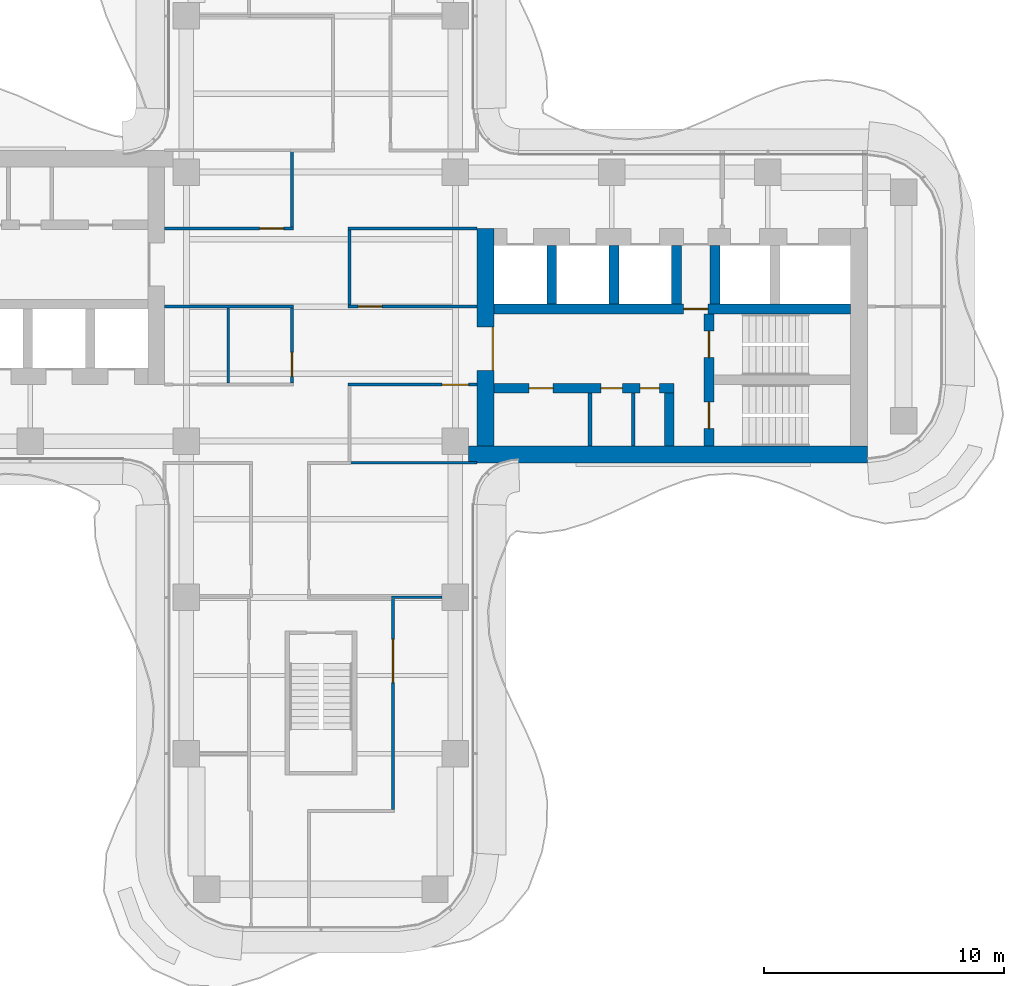
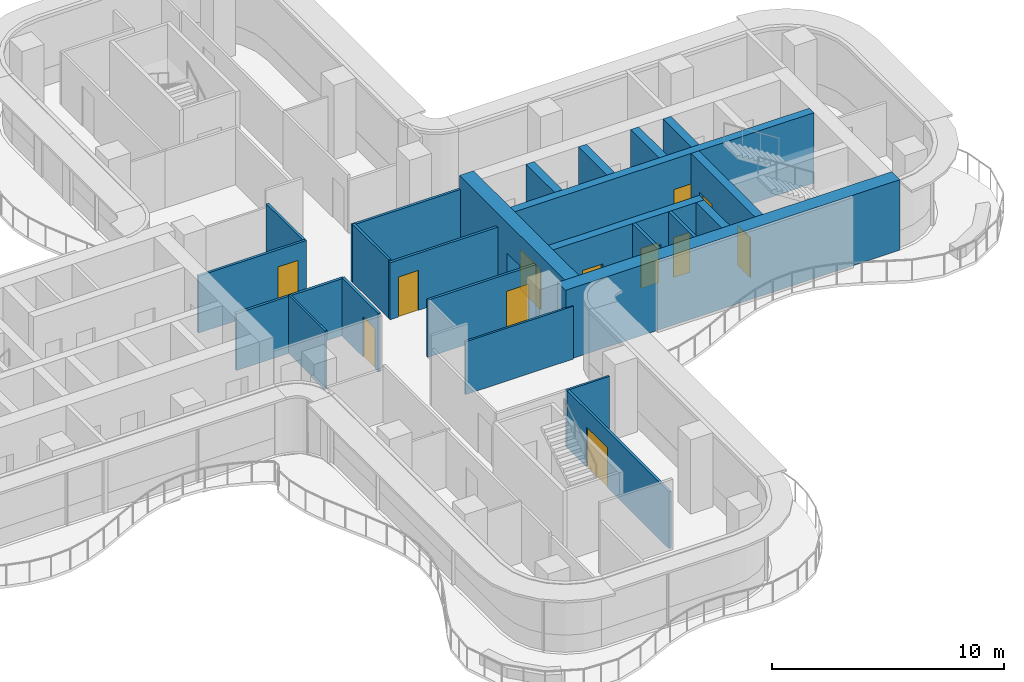
# One storey, part 13 of 17: 24 walls, 12 doors, 12 openings.
"""IFC4 building model written with IfcOpenShell, lengths in metres."""

from ifc_helpers import new_model, si_unit, direction, frame, frame_2d, origin, place, context, subcontext, project, spatial, rectangle, extrude, source, transform, mapped, material, layer, layer_set, type_object, element, fill, save


model = new_model("IFC4")

# Units and contexts
model_context = context("Model", 3, precision=1e-05, world=origin(), true_north=direction((0.0, 1.0)))
body_context = subcontext(model_context, "Body", "Model", "MODEL_VIEW")
ifc_project = project(units=[si_unit("LENGTHUNIT", "METRE"), si_unit("AREAUNIT", "SQUARE_METRE"), si_unit("VOLUMEUNIT", "CUBIC_METRE"), si_unit("PLANEANGLEUNIT", "RADIAN"), si_unit("MASSUNIT", "GRAM", prefix="KILO")], contexts=[model_context])

# Site, building, storey
site_placement = place(None, origin())
site = spatial("IfcSite", under=ifc_project, at=site_placement, CompositionType="ELEMENT")
building_placement = place(site_placement, origin())
building = spatial("IfcBuilding", under=site, at=building_placement, Name="Trellis Farm Tower", CompositionType="ELEMENT")
storey_placement = place(building_placement, frame((0.0, 0.0, 232.39990234375)))
storey = spatial("IfcBuildingStorey", under=building, at=storey_placement, Name="L51", CompositionType="ELEMENT", Elevation=232.39990234375)

# Wall, opening, door
ifc_material_1 = material(Name="Concrete C60/75", Category="concrete")
ifc_layer_1 = layer(ifc_material_1, 0.699951171875)
ifc_layer_set_1 = layer_set([ifc_layer_1], Name="CORE OUTER WALL 700 CONCRETE C60/75")
wall_type_1 = type_object("IfcWallType", Name="CORE OUTER WALL 700 CONCRETE C60/75", PredefinedType="SHEAR", material=ifc_layer_set_1)
shared_shape_1 = source(origin(), body_context, "Body", "SweptSolid", [
    extrude(rectangle(XDim=9.050048828125, YDim=0.699951171875, at=frame_2d((4.52490234375, 0.0))), origin(), (0.0, 0.0, 1.0), 3.7001953125),
])
wall_1_placement = place(storey_placement, frame((6.85009765625, -5.800048828125, 0.0), z_axis=(0.0, 0.0, 1.0), x_axis=(0.0, 1.0, 0.0)))
wall_1 = element("IfcWall", 1, at=wall_1_placement, inside=storey, type_object=wall_type_1, Name="Core wall", PredefinedType="SHEAR", context=body_context, shape_type="MappedRepresentation", body=[
    mapped(shared_shape_1, transform((0.0, 0.0, 0.0))),
])
shared_shape_2 = source(origin(), body_context, "Body", "SweptSolid", [
    extrude(rectangle(XDim=1.800048828125, YDim=2.10009765625, at=frame_2d((0.89990234375, 1.050048828125))), frame((0.0, 0.360107421875, 0.0), z_axis=(0.0, -1.0, 0.0), x_axis=(1.0, 0.0, 0.0)), (0.0, 0.0, 1.0), 0.72021484375),
])
opening_1_placement = place(wall_1_placement, frame((3.14990234375, 0.0, 0.0)))
opening_1 = element("IfcOpeningElement", 2, at=opening_1_placement, cuts=wall_1, Name="Opening DC1", PredefinedType="OPENING", context=body_context, shape_type="MappedRepresentation", body=[
    mapped(shared_shape_2, transform((0.0, 0.0, 0.0))),
])
ifc_material_2 = material(Name="Steel", Category="steel")
door_type_1 = type_object("IfcDoorType", Name="CORE FIRE DOOR DOUBLE 1800 X 2100", OperationType="DOUBLE_DOOR_SINGLE_SWING", PredefinedType="DOOR", material=ifc_material_2)
shared_shape_3 = source(origin(), body_context, "Body", "SweptSolid", [
    extrude(rectangle(XDim=1.800048828125, YDim=2.10009765625, at=frame_2d((0.89990234375, 1.050048828125))), frame((0.0, -0.27490234375, 0.0), z_axis=(0.0, -1.0, 0.0), x_axis=(1.0, 0.0, 0.0)), (0.0, 0.0, 1.0), 0.050048828125),
])
door_1_placement = place(opening_1_placement, origin())
door_1 = element("IfcDoor", 3, at=door_1_placement, inside=storey, type_object=door_type_1, Name="Core door", OperationType="DOUBLE_DOOR_SINGLE_SWING", OverallHeight=2.10009765625, OverallWidth=1.800048828125, PredefinedType="DOOR", context=body_context, shape_type="MappedRepresentation", body=[
    mapped(shared_shape_3, transform((0.0, 0.0, 0.0))),
])
fill(opening_1, door_1)

# Walls
ifc_layer_2 = layer(ifc_material_1, 0.39990234375)
ifc_layer_set_2 = layer_set([ifc_layer_2], Name="CORE INNER WALL 400 CONCRETE C60/75")
wall_type_2 = type_object("IfcWallType", Name="CORE INNER WALL 400 CONCRETE C60/75", PredefinedType="SHEAR", material=ifc_layer_set_2)
shared_shape_4 = source(origin(), body_context, "Body", "SweptSolid", [
    extrude(rectangle(XDim=2.449951171875, YDim=0.39990234375, at=frame_2d((1.22509765625, 0.0))), origin(), (0.0, 0.0, 1.0), 3.7001953125),
])
for number, where, z_axis, x_axis, name in (
    (4, (9.60009765625, 0.10009765625, 0.0), (0.0, 0.0, 1.0), (0.0, 1.0, 0.0), "Core wall"),
    (5, (12.199951171875, 0.10009765625, 0.0), (0.0, 0.0, 1.0), (0.0, 1.0, 0.0), "Core wall"),
    (6, (14.800048828125, 0.10009765625, 0.0), (0.0, 0.0, 1.0), (0.0, 1.0, 0.0), "Core wall"),
    (7, (16.39990234375, 0.10009765625, 0.0), (0.0, 0.0, 1.0), (0.0, 1.0, 0.0), "Core wall"),
):
    element("IfcWall", number, at=place(storey_placement, frame(where, z_axis=z_axis, x_axis=x_axis)), inside=storey, type_object=wall_type_2, Name=name, PredefinedType="SHEAR", context=body_context, shape_type="MappedRepresentation", body=[
        mapped(shared_shape_4, transform((0.0, 0.0, 0.0))),
    ])

# Wall, openings, doors
shared_shape_5 = source(origin(), body_context, "Body", "SweptSolid", [
    extrude(rectangle(XDim=7.5, YDim=0.39990234375, at=frame_2d((3.75, 0.0))), origin(), (0.0, 0.0, 1.0), 3.7001953125),
])
wall_2_placement = place(storey_placement, frame((7.199951171875, -3.39990234375, 0.0), z_axis=(0.0, 0.0, 1.0), x_axis=(1.0, 0.0, 0.0)))
wall_2 = element("IfcWall", 8, at=wall_2_placement, inside=storey, type_object=wall_type_2, Name="Core wall", PredefinedType="SHEAR", context=body_context, shape_type="MappedRepresentation", body=[
    mapped(shared_shape_5, transform((0.0, 0.0, 0.0))),
])
shared_shape_6 = source(origin(), body_context, "Body", "SweptSolid", [
    extrude(rectangle(XDim=1.0, YDim=2.10009765625, at=frame_2d((0.5, 1.050048828125))), frame((0.0, 0.2099609375, 0.0), z_axis=(0.0, -1.0, 0.0), x_axis=(1.0, 0.0, 0.0)), (0.0, 0.0, 1.0), 0.419921875),
])
opening_2_placement = place(wall_2_placement, frame((1.46240234375, 0.0, 0.0)))
opening_2 = element("IfcOpeningElement", 9, at=opening_2_placement, cuts=wall_2, Name="Opening DC55", PredefinedType="OPENING", context=body_context, shape_type="MappedRepresentation", body=[
    mapped(shared_shape_6, transform((0.0, 0.0, 0.0))),
])
shared_shape_7 = source(origin(), body_context, "Body", "SweptSolid", [
    extrude(rectangle(XDim=0.89990234375, YDim=2.10009765625, at=frame_2d((0.449951171875, 1.050048828125))), frame((0.0, 0.2099609375, 0.0), z_axis=(0.0, -1.0, 0.0), x_axis=(1.0, 0.0, 0.0)), (0.0, 0.0, 1.0), 0.419921875),
])
opening_3_placement = place(wall_2_placement, frame((4.449951171875, 0.0, 0.0)))
opening_3 = element("IfcOpeningElement", 10, at=opening_3_placement, cuts=wall_2, Name="Opening DC60", PredefinedType="OPENING", context=body_context, shape_type="MappedRepresentation", body=[
    mapped(shared_shape_7, transform((0.0, 0.0, 0.0))),
])
shared_shape_8 = source(origin(), body_context, "Body", "SweptSolid", [
    extrude(rectangle(XDim=0.800048828125, YDim=2.10009765625, at=frame_2d((0.39990234375, 1.050048828125))), frame((0.0, 0.2099609375, 0.0), z_axis=(0.0, -1.0, 0.0), x_axis=(1.0, 0.0, 0.0)), (0.0, 0.0, 1.0), 0.419921875),
])
opening_4_placement = place(wall_2_placement, frame((6.08740234375, 0.0, 0.0)))
opening_4 = element("IfcOpeningElement", 11, at=opening_4_placement, cuts=wall_2, Name="Opening DC63", PredefinedType="OPENING", context=body_context, shape_type="MappedRepresentation", body=[
    mapped(shared_shape_8, transform((0.0, 0.0, 0.0))),
])
door_type_2 = type_object("IfcDoorType", Name="CORE FIRE DOOR 1000 X 2100", OperationType="NOTDEFINED", PredefinedType="DOOR", material=ifc_material_2)
shared_shape_9 = source(origin(), body_context, "Body", "SweptSolid", [
    extrude(rectangle(XDim=1.0, YDim=2.10009765625, at=frame_2d((0.5, 1.050048828125))), frame((0.0, 0.02490234375, 0.0), z_axis=(0.0, -1.0, 0.0), x_axis=(1.0, 0.0, 0.0)), (0.0, 0.0, 1.0), 0.050048828125),
])
door_2_placement = place(opening_2_placement, origin())
door_2 = element("IfcDoor", 12, at=door_2_placement, inside=storey, type_object=door_type_2, Name="Core door", OperationType="SINGLE_SWING_LEFT", OverallHeight=2.10009765625, OverallWidth=1.0, PredefinedType="DOOR", context=body_context, shape_type="MappedRepresentation", body=[
    mapped(shared_shape_9, transform((0.0, 0.0, 0.0))),
])
fill(opening_2, door_2)
door_type_3 = type_object("IfcDoorType", Name="CORE FIRE DOOR 900 X 2100", OperationType="NOTDEFINED", PredefinedType="DOOR", material=ifc_material_2)
shared_shape_10 = source(origin(), body_context, "Body", "SweptSolid", [
    extrude(rectangle(XDim=0.89990234375, YDim=2.10009765625, at=frame_2d((0.449951171875, 1.050048828125))), frame((0.0, 0.02490234375, 0.0), z_axis=(0.0, -1.0, 0.0), x_axis=(1.0, 0.0, 0.0)), (0.0, 0.0, 1.0), 0.050048828125),
])
door_3_placement = place(opening_3_placement, origin())
door_3 = element("IfcDoor", 13, at=door_3_placement, inside=storey, type_object=door_type_3, Name="Core door", OperationType="SINGLE_SWING_RIGHT", OverallHeight=2.10009765625, OverallWidth=0.89990234375, PredefinedType="DOOR", context=body_context, shape_type="MappedRepresentation", body=[
    mapped(shared_shape_10, transform((0.0, 0.0, 0.0))),
])
fill(opening_3, door_3)
door_type_4 = type_object("IfcDoorType", Name="CORE FIRE DOOR 800 X 2100", OperationType="NOTDEFINED", PredefinedType="DOOR", material=ifc_material_2)
shared_shape_11 = source(origin(), body_context, "Body", "SweptSolid", [
    extrude(rectangle(XDim=0.800048828125, YDim=2.10009765625, at=frame_2d((0.39990234375, 1.050048828125))), frame((0.0, 0.02490234375, 0.0), z_axis=(0.0, -1.0, 0.0), x_axis=(1.0, 0.0, 0.0)), (0.0, 0.0, 1.0), 0.050048828125),
])
door_4_placement = place(opening_4_placement, origin())
door_4 = element("IfcDoor", 14, at=door_4_placement, inside=storey, type_object=door_type_4, Name="Core door", OperationType="SINGLE_SWING_LEFT", OverallHeight=2.10009765625, OverallWidth=0.800048828125, PredefinedType="DOOR", context=body_context, shape_type="MappedRepresentation", body=[
    mapped(shared_shape_11, transform((0.0, 0.0, 0.0))),
])
fill(opening_4, door_4)

# Wall, opening, door
shared_shape_12 = source(origin(), body_context, "Body", "SweptSolid", [
    extrude(rectangle(XDim=14.85009765625, YDim=0.39990234375, at=frame_2d((7.425048828125, 0.0))), origin(), (0.0, 0.0, 1.0), 3.7001953125),
])
wall_3_placement = place(storey_placement, frame((7.199951171875, -0.10009765625, 0.0), z_axis=(0.0, 0.0, 1.0), x_axis=(1.0, 0.0, 0.0)))
wall_3 = element("IfcWall", 15, at=wall_3_placement, inside=storey, type_object=wall_type_2, Name="Core wall", PredefinedType="SHEAR", context=body_context, shape_type="MappedRepresentation", body=[
    mapped(shared_shape_12, transform((0.0, 0.0, 0.0))),
])
opening_5_placement = place(wall_3_placement, frame((7.89990234375, 0.0, 0.0)))
opening_5 = element("IfcOpeningElement", 16, at=opening_5_placement, cuts=wall_3, Name="Opening DC5", PredefinedType="OPENING", context=body_context, shape_type="MappedRepresentation", body=[
    mapped(shared_shape_6, transform((0.0, 0.0, 0.0))),
])
door_5_placement = place(opening_5_placement, origin())
door_5 = element("IfcDoor", 17, at=door_5_placement, inside=storey, type_object=door_type_2, Name="Core door", OperationType="SINGLE_SWING_RIGHT", OverallHeight=2.10009765625, OverallWidth=1.0, PredefinedType="DOOR", context=body_context, shape_type="MappedRepresentation", body=[
    mapped(shared_shape_9, transform((0.0, 0.0, 0.0))),
])
fill(opening_5, door_5)

# Wall, openings, doors
shared_shape_13 = source(origin(), body_context, "Body", "SweptSolid", [
    extrude(rectangle(XDim=5.5, YDim=0.39990234375, at=frame_2d((2.75, 0.0))), origin(), (0.0, 0.0, 1.0), 3.7001953125),
])
wall_4_placement = place(storey_placement, frame((16.14990234375, -5.800048828125, 0.0), z_axis=(0.0, 0.0, 1.0), x_axis=(0.0, 1.0, 0.0)))
wall_4 = element("IfcWall", 18, at=wall_4_placement, inside=storey, type_object=wall_type_2, Name="Core wall", PredefinedType="SHEAR", context=body_context, shape_type="MappedRepresentation", body=[
    mapped(shared_shape_13, transform((0.0, 0.0, 0.0))),
])
shared_shape_14 = source(origin(), body_context, "Body", "SweptSolid", [
    extrude(rectangle(XDim=1.10009765625, YDim=2.10009765625, at=frame_2d((0.550048828125, 1.050048828125))), frame((0.0, 0.2099609375, 0.0), z_axis=(0.0, -1.0, 0.0), x_axis=(1.0, 0.0, 0.0)), (0.0, 0.0, 1.0), 0.419921875),
])
opening_6_placement = place(wall_4_placement, frame((0.72509765625, 0.0, 0.0)))
opening_6 = element("IfcOpeningElement", 19, at=opening_6_placement, cuts=wall_4, Name="Opening DC2", PredefinedType="OPENING", context=body_context, shape_type="MappedRepresentation", body=[
    mapped(shared_shape_14, transform((0.0, 0.0, 0.0))),
])
opening_7_placement = place(wall_4_placement, frame((3.675048828125, 0.0, 0.0)))
opening_7 = element("IfcOpeningElement", 20, at=opening_7_placement, cuts=wall_4, Name="Opening DC3", PredefinedType="OPENING", context=body_context, shape_type="MappedRepresentation", body=[
    mapped(shared_shape_14, transform((0.0, 0.0, 0.0))),
])
door_type_5 = type_object("IfcDoorType", Name="CORE FIRE DOOR 1100 X 2100", OperationType="NOTDEFINED", PredefinedType="DOOR", material=ifc_material_2)
shared_shape_15 = source(origin(), body_context, "Body", "SweptSolid", [
    extrude(rectangle(XDim=1.10009765625, YDim=2.10009765625, at=frame_2d((0.550048828125, 1.050048828125))), frame((0.0, 0.02490234375, 0.0), z_axis=(0.0, -1.0, 0.0), x_axis=(1.0, 0.0, 0.0)), (0.0, 0.0, 1.0), 0.050048828125),
])
door_6_placement = place(opening_6_placement, origin())
door_6 = element("IfcDoor", 21, at=door_6_placement, inside=storey, type_object=door_type_5, Name="Core door", OperationType="SINGLE_SWING_RIGHT", OverallHeight=2.10009765625, OverallWidth=1.10009765625, PredefinedType="DOOR", context=body_context, shape_type="MappedRepresentation", body=[
    mapped(shared_shape_15, transform((0.0, 0.0, 0.0))),
])
fill(opening_6, door_6)
door_7_placement = place(opening_7_placement, origin())
door_7 = element("IfcDoor", 22, at=door_7_placement, inside=storey, type_object=door_type_5, Name="Core door", OperationType="SINGLE_SWING_LEFT", OverallHeight=2.10009765625, OverallWidth=1.10009765625, PredefinedType="DOOR", context=body_context, shape_type="MappedRepresentation", body=[
    mapped(shared_shape_15, transform((0.0, 0.0, 0.0))),
])
fill(opening_7, door_7)

# Walls
shared_shape_16 = source(origin(), body_context, "Body", "SweptSolid", [
    extrude(rectangle(XDim=2.199951171875, YDim=0.39990234375, at=frame_2d((1.10009765625, 0.0))), origin(), (0.0, 0.0, 1.0), 3.7001953125),
])
wall_5_placement = place(storey_placement, frame((14.5, -5.800048828125, 0.0), z_axis=(0.0, 0.0, 1.0), x_axis=(0.0, 1.0, 0.0)))
element("IfcWall", 23, at=wall_5_placement, inside=storey, type_object=wall_type_2, Name="Core wall", PredefinedType="SHEAR", context=body_context, shape_type="MappedRepresentation", body=[
    mapped(shared_shape_16, transform((0.0, 0.0, 0.0))),
])
ifc_material_3 = material(Name="Masonry blockwork", Category="masonry")
ifc_layer_3 = layer(ifc_material_3, 0.14990234375)
ifc_layer_set_3 = layer_set([ifc_layer_3], Name="CORE PARTITION 150 BLOCKWORK")
wall_type_3 = type_object("IfcWallType", Name="CORE PARTITION 150 BLOCKWORK", PredefinedType="PARTITIONING", material=ifc_layer_set_3)
shared_shape_17 = source(origin(), body_context, "Body", "SweptSolid", [
    extrude(rectangle(XDim=2.199951171875, YDim=0.14990234375, at=frame_2d((1.10009765625, 0.0))), origin(), (0.0, 0.0, 1.0), 3.7001953125),
])
for number, where, z_axis, x_axis, name in (
    (24, (11.199951171875, -5.800048828125, 0.0), (0.0, 0.0, 1.0), (0.0, 1.0, 0.0), "Core room partition"),
    (25, (13.0, -5.800048828125, 0.0), (0.0, 0.0, 1.0), (0.0, 1.0, 0.0), "Core room partition"),
):
    element("IfcWall", number, at=place(storey_placement, frame(where, z_axis=z_axis, x_axis=x_axis)), inside=storey, type_object=wall_type_3, Name=name, PredefinedType="PARTITIONING", context=body_context, shape_type="MappedRepresentation", body=[
        mapped(shared_shape_17, transform((0.0, 0.0, 0.0))),
    ])
shared_shape_18 = source(origin(), body_context, "Body", "SweptSolid", [
    extrude(rectangle(XDim=16.60009765625, YDim=0.699951171875, at=frame_2d((8.300048828125, 0.0))), origin(), (0.0, 0.0, 1.0), 3.7001953125),
])
wall_6_placement = place(storey_placement, frame((6.14990234375, -6.14990234375, 0.0), z_axis=(0.0, 0.0, 1.0), x_axis=(1.0, 0.0, 0.0)))
element("IfcWall", 26, at=wall_6_placement, inside=storey, type_object=wall_type_1, Name="Core wall", PredefinedType="SHEAR", context=body_context, shape_type="MappedRepresentation", body=[
    mapped(shared_shape_18, transform((0.0, 0.0, 0.0))),
])
ifc_material_4 = material(Name="Plasterboard on steel studs, mineral wool", Category="steel")
ifc_layer_4 = layer(ifc_material_4, 0.125)
ifc_layer_set_4 = layer_set([ifc_layer_4], Name="PARTITION 125 STUD EI 60")
wall_type_4 = type_object("IfcWallType", Name="PARTITION 125 STUD EI 60", PredefinedType="PARTITIONING", material=ifc_layer_set_4)
shared_shape_19 = source(origin(), body_context, "Body", "SweptSolid", [
    extrude(rectangle(XDim=3.137451171875, YDim=0.125, at=frame_2d((1.56884765625, 0.0))), origin(), (0.0, 0.0, 1.0), 2.99658203125),
])
wall_7_placement = place(storey_placement, frame((-1.199951171875, 6.449951171875, 0.0), z_axis=(0.0, 0.0, 1.0), x_axis=(0.0, -1.0, 0.0)))
element("IfcWall", 27, at=wall_7_placement, inside=storey, type_object=wall_type_4, Name="Partition PW1", PredefinedType="PARTITIONING", context=body_context, shape_type="MappedRepresentation", body=[
    mapped(shared_shape_19, transform((0.0, 0.0, 0.0))),
])

# Wall, opening, door
shared_shape_20 = source(origin(), body_context, "Body", "SweptSolid", [
    extrude(rectangle(XDim=3.125, YDim=0.125, at=frame_2d((1.5625, 0.0))), origin(), (0.0, 0.0, 1.0), 3.06787109375),
])
wall_8_placement = place(storey_placement, frame((-1.199951171875, -0.0625, 0.0), z_axis=(0.0, 0.0, 1.0), x_axis=(0.0, -1.0, 0.0)))
wall_8 = element("IfcWall", 28, at=wall_8_placement, inside=storey, type_object=wall_type_4, Name="Partition PW1", PredefinedType="PARTITIONING", context=body_context, shape_type="MappedRepresentation", body=[
    mapped(shared_shape_20, transform((0.0, 0.0, 0.0))),
])
shared_shape_21 = source(origin(), body_context, "Body", "SweptSolid", [
    extrude(rectangle(XDim=1.0, YDim=2.10009765625, at=frame_2d((0.5, 1.050048828125))), frame((0.0, 0.072509765625, 0.0), z_axis=(0.0, -1.0, 0.0), x_axis=(1.0, 0.0, 0.0)), (0.0, 0.0, 1.0), 0.14501953125),
])
opening_8_placement = place(wall_8_placement, frame((1.83740234375, 0.0, 0.0)))
opening_8 = element("IfcOpeningElement", 29, at=opening_8_placement, cuts=wall_8, Name="Opening D105", PredefinedType="OPENING", context=body_context, shape_type="MappedRepresentation", body=[
    mapped(shared_shape_21, transform((0.0, 0.0, 0.0))),
])
ifc_material_5 = material(Name="Fire-rated timber door leaf in a hollow metal frame", Category="wood")
door_type_6 = type_object("IfcDoorType", Name="DOOR 1000x2100 FD30S", OperationType="NOTDEFINED", PredefinedType="DOOR", material=ifc_material_5)
door_8_placement = place(opening_8_placement, origin())
door_8 = element("IfcDoor", 30, at=door_8_placement, inside=storey, type_object=door_type_6, Name="Door D105", OperationType="SINGLE_SWING_RIGHT", OverallHeight=2.10009765625, OverallWidth=1.0, PredefinedType="DOOR", context=body_context, shape_type="MappedRepresentation", body=[
    mapped(shared_shape_9, transform((0.0, 0.0, 0.0))),
])
fill(opening_8, door_8)

# Wall
wall_9_placement = place(storey_placement, frame((1.199951171875, 3.1875, 0.0), z_axis=(0.0, 0.0, 1.0), x_axis=(0.0, -1.0, 0.0)))
element("IfcWall", 31, at=wall_9_placement, inside=storey, type_object=wall_type_4, Name="Partition PW1", PredefinedType="PARTITIONING", context=body_context, shape_type="MappedRepresentation", body=[
    mapped(shared_shape_20, transform((0.0, 0.0, 0.0))),
])

# Wall, opening, door
shared_shape_22 = source(origin(), body_context, "Body", "SweptSolid", [
    extrude(rectangle(XDim=5.362548828125, YDim=0.125, at=frame_2d((2.68115234375, 0.0))), origin(), (0.0, 0.0, 1.0), 2.99658203125),
])
wall_10_placement = place(storey_placement, frame((6.5, -3.25, 0.0), z_axis=(0.0, 0.0, 1.0), x_axis=(-1.0, 0.0, 0.0)))
wall_10 = element("IfcWall", 32, at=wall_10_placement, inside=storey, type_object=wall_type_4, Name="Partition PW1", PredefinedType="PARTITIONING", context=body_context, shape_type="MappedRepresentation", body=[
    mapped(shared_shape_22, transform((0.0, 0.0, 0.0))),
])
shared_shape_23 = source(origin(), body_context, "Body", "SweptSolid", [
    extrude(rectangle(XDim=1.10009765625, YDim=2.10009765625, at=frame_2d((0.550048828125, 1.050048828125))), frame((0.0, 0.072509765625, 0.0), z_axis=(0.0, -1.0, 0.0), x_axis=(1.0, 0.0, 0.0)), (0.0, 0.0, 1.0), 0.14501953125),
])
opening_9_placement = place(wall_10_placement, frame((0.35009765625, 0.0, 0.0)))
opening_9 = element("IfcOpeningElement", 33, at=opening_9_placement, cuts=wall_10, Name="Opening D501", PredefinedType="OPENING", context=body_context, shape_type="MappedRepresentation", body=[
    mapped(shared_shape_23, transform((0.0, 0.0, 0.0))),
])
door_type_7 = type_object("IfcDoorType", Name="DOOR 1100x2100 FD30S", OperationType="NOTDEFINED", PredefinedType="DOOR", material=ifc_material_5)
door_9_placement = place(opening_9_placement, origin())
door_9 = element("IfcDoor", 34, at=door_9_placement, inside=storey, type_object=door_type_7, Name="Door D501", OperationType="SINGLE_SWING_LEFT", OverallHeight=2.10009765625, OverallWidth=1.10009765625, PredefinedType="DOOR", context=body_context, shape_type="MappedRepresentation", body=[
    mapped(shared_shape_15, transform((0.0, 0.0, 0.0))),
])
fill(opening_9, door_9)

# Wall
wall_11_placement = place(storey_placement, frame((-1.137451171875, 0.0, 0.0), z_axis=(0.0, 0.0, 1.0), x_axis=(-1.0, 0.0, 0.0)))
element("IfcWall", 35, at=wall_11_placement, inside=storey, type_object=wall_type_4, Name="Partition PW1", PredefinedType="PARTITIONING", context=body_context, shape_type="MappedRepresentation", body=[
    mapped(shared_shape_22, transform((0.0, 0.0, 0.0))),
])

# Wall, opening, door
wall_12_placement = place(storey_placement, frame((6.5, 0.0, 0.0), z_axis=(0.0, 0.0, 1.0), x_axis=(-1.0, 0.0, 0.0)))
wall_12 = element("IfcWall", 36, at=wall_12_placement, inside=storey, type_object=wall_type_4, Name="Partition PW1", PredefinedType="PARTITIONING", context=body_context, shape_type="MappedRepresentation", body=[
    mapped(shared_shape_22, transform((0.0, 0.0, 0.0))),
])
opening_10_placement = place(wall_12_placement, frame((3.949951171875, 0.0, 0.0)))
opening_10 = element("IfcOpeningElement", 37, at=opening_10_placement, cuts=wall_12, Name="Opening D106", PredefinedType="OPENING", context=body_context, shape_type="MappedRepresentation", body=[
    mapped(shared_shape_21, transform((0.0, 0.0, 0.0))),
])
door_10_placement = place(opening_10_placement, origin())
door_10 = element("IfcDoor", 38, at=door_10_placement, inside=storey, type_object=door_type_6, Name="Door D106", OperationType="SINGLE_SWING_RIGHT", OverallHeight=2.10009765625, OverallWidth=1.0, PredefinedType="DOOR", context=body_context, shape_type="MappedRepresentation", body=[
    mapped(shared_shape_9, transform((0.0, 0.0, 0.0))),
])
fill(opening_10, door_10)

wall_13_placement = place(storey_placement, frame((-6.5, 3.25, 0.0), z_axis=(0.0, 0.0, 1.0), x_axis=(1.0, 0.0, 0.0)))
wall_13 = element("IfcWall", 39, at=wall_13_placement, inside=storey, type_object=wall_type_4, Name="Partition PW1", PredefinedType="PARTITIONING", context=body_context, shape_type="MappedRepresentation", body=[
    mapped(shared_shape_22, transform((0.0, 0.0, 0.0))),
])
opening_11_placement = place(wall_13_placement, frame((3.949951171875, 0.0, 0.0)))
opening_11 = element("IfcOpeningElement", 40, at=opening_11_placement, cuts=wall_13, Name="Opening D108", PredefinedType="OPENING", context=body_context, shape_type="MappedRepresentation", body=[
    mapped(shared_shape_21, transform((0.0, 0.0, 0.0))),
])
door_11_placement = place(opening_11_placement, origin())
door_11 = element("IfcDoor", 41, at=door_11_placement, inside=storey, type_object=door_type_6, Name="Door D108", OperationType="SINGLE_SWING_RIGHT", OverallHeight=2.10009765625, OverallWidth=1.0, PredefinedType="DOOR", context=body_context, shape_type="MappedRepresentation", body=[
    mapped(shared_shape_9, transform((0.0, 0.0, 0.0))),
])
fill(opening_11, door_11)

# Walls
wall_14_placement = place(storey_placement, frame((1.137451171875, 3.25, 0.0), z_axis=(0.0, 0.0, 1.0), x_axis=(1.0, 0.0, 0.0)))
element("IfcWall", 42, at=wall_14_placement, inside=storey, type_object=wall_type_4, Name="Partition PW1", PredefinedType="PARTITIONING", context=body_context, shape_type="MappedRepresentation", body=[
    mapped(shared_shape_22, transform((0.0, 0.0, 0.0))),
])
ifc_material_6 = material(Name="Plasterboard on steel studs", Category="steel")
ifc_layer_5 = layer(ifc_material_6, 0.10009765625)
ifc_layer_set_5 = layer_set([ifc_layer_5], Name="PARTITION 100 STUD EI 30")
wall_type_5 = type_object("IfcWallType", Name="PARTITION 100 STUD EI 30", PredefinedType="PARTITIONING", material=ifc_layer_set_5)
shared_shape_24 = source(origin(), body_context, "Body", "SweptSolid", [
    extrude(rectangle(XDim=5.362548828125, YDim=0.10009765625, at=frame_2d((2.68115234375, 0.0))), origin(), (0.0, 0.0, 1.0), 2.780029296875),
])
wall_15_placement = place(storey_placement, frame((1.137451171875, -6.5, 0.0), z_axis=(0.0, 0.0, 1.0), x_axis=(1.0, 0.0, 0.0)))
element("IfcWall", 43, at=wall_15_placement, inside=storey, type_object=wall_type_5, Name="Partition PW2", PredefinedType="PARTITIONING", context=body_context, shape_type="MappedRepresentation", body=[
    mapped(shared_shape_24, transform((0.0, 0.0, 0.0))),
])

# Wall, opening, door
shared_shape_25 = source(origin(), body_context, "Body", "SweptSolid", [
    extrude(rectangle(XDim=8.78759765625, YDim=0.125, at=frame_2d((4.393798828125, 0.0))), origin(), (0.0, 0.0, 1.0), 2.99658203125),
])
wall_16_placement = place(storey_placement, frame((3.0, -12.14990234375, 0.0), z_axis=(0.0, 0.0, 1.0), x_axis=(0.0, -1.0, 0.0)))
wall_16 = element("IfcWall", 44, at=wall_16_placement, inside=storey, type_object=wall_type_4, Name="Partition PW1", PredefinedType="PARTITIONING", context=body_context, shape_type="MappedRepresentation", body=[
    mapped(shared_shape_25, transform((0.0, 0.0, 0.0))),
])
shared_shape_26 = source(origin(), body_context, "Body", "SweptSolid", [
    extrude(rectangle(XDim=1.800048828125, YDim=2.10009765625, at=frame_2d((0.89990234375, 1.050048828125))), frame((0.0, 0.072509765625, 0.0), z_axis=(0.0, -1.0, 0.0), x_axis=(1.0, 0.0, 0.0)), (0.0, 0.0, 1.0), 0.14501953125),
])
opening_12_placement = place(wall_16_placement, frame((1.699951171875, 0.0, 0.0)))
opening_12 = element("IfcOpeningElement", 45, at=opening_12_placement, cuts=wall_16, Name="Opening D201", PredefinedType="OPENING", context=body_context, shape_type="MappedRepresentation", body=[
    mapped(shared_shape_26, transform((0.0, 0.0, 0.0))),
])
door_type_8 = type_object("IfcDoorType", Name="DOOR PAIR 1800x2100 FD30S", OperationType="NOTDEFINED", PredefinedType="DOOR", material=ifc_material_5)
shared_shape_27 = source(origin(), body_context, "Body", "SweptSolid", [
    extrude(rectangle(XDim=1.800048828125, YDim=2.10009765625, at=frame_2d((0.89990234375, 1.050048828125))), frame((0.0, 0.02490234375, 0.0), z_axis=(0.0, -1.0, 0.0), x_axis=(1.0, 0.0, 0.0)), (0.0, 0.0, 1.0), 0.050048828125),
])
door_12_placement = place(opening_12_placement, origin())
door_12 = element("IfcDoor", 46, at=door_12_placement, inside=storey, type_object=door_type_8, Name="Door D201", OperationType="DOUBLE_DOOR_SINGLE_SWING", OverallHeight=2.10009765625, OverallWidth=1.800048828125, PredefinedType="DOOR", context=body_context, shape_type="MappedRepresentation", body=[
    mapped(shared_shape_27, transform((0.0, 0.0, 0.0))),
])
fill(opening_12, door_12)

# Walls
shared_shape_28 = source(origin(), body_context, "Body", "SweptSolid", [
    extrude(rectangle(XDim=2.112548828125, YDim=0.10009765625, at=frame_2d((1.05615234375, 0.0))), origin(), (0.0, 0.0, 1.0), 2.99658203125),
])
wall_17_placement = place(storey_placement, frame((2.9375, -12.10009765625, 0.0), z_axis=(0.0, 0.0, 1.0), x_axis=(1.0, 0.0, 0.0)))
element("IfcWall", 47, at=wall_17_placement, inside=storey, type_object=wall_type_5, Name="Partition PW2", PredefinedType="PARTITIONING", context=body_context, shape_type="MappedRepresentation", body=[
    mapped(shared_shape_28, transform((0.0, 0.0, 0.0))),
])
shared_shape_29 = source(origin(), body_context, "Body", "SweptSolid", [
    extrude(rectangle(XDim=3.125, YDim=0.10009765625, at=frame_2d((1.5625, 0.0))), origin(), (0.0, 0.0, 1.0), 3.06787109375),
])
wall_18_placement = place(storey_placement, frame((-3.85009765625, -3.1875, 0.0), z_axis=(0.0, 0.0, 1.0), x_axis=(0.0, 1.0, 0.0)))
element("IfcWall", 48, at=wall_18_placement, inside=storey, type_object=wall_type_5, Name="Partition PW2", PredefinedType="PARTITIONING", context=body_context, shape_type="MappedRepresentation", body=[
    mapped(shared_shape_29, transform((0.0, 0.0, 0.0))),
])

save(model, "model.ifc")
